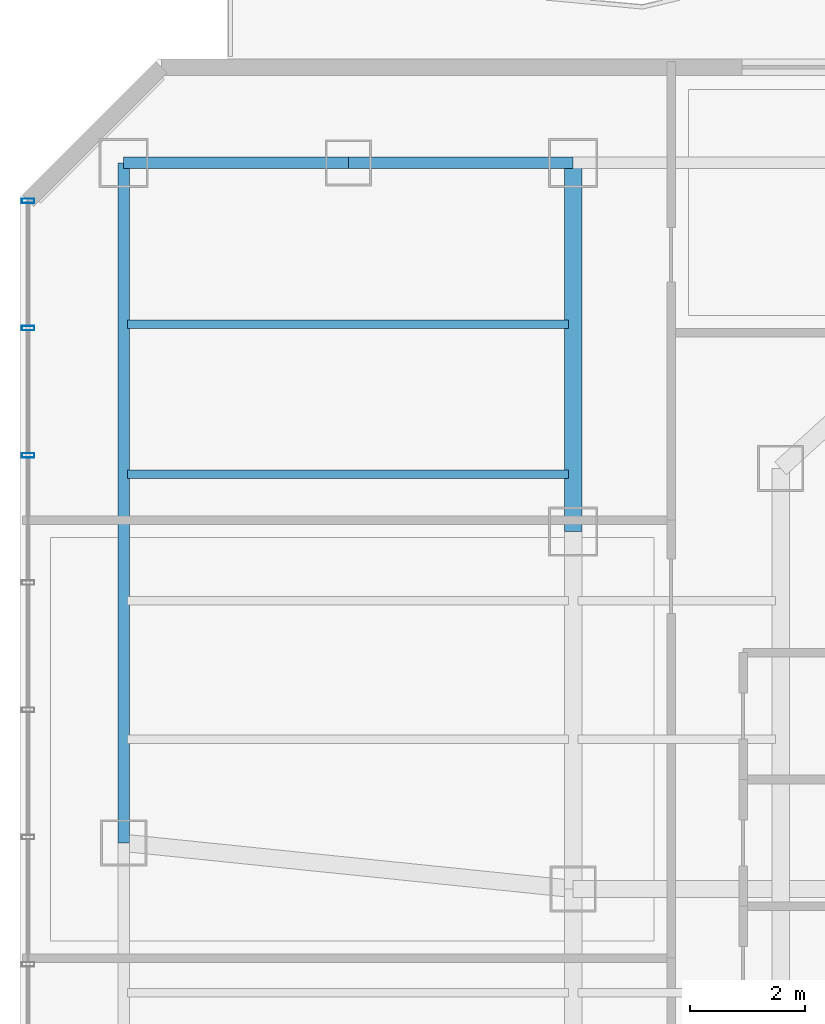
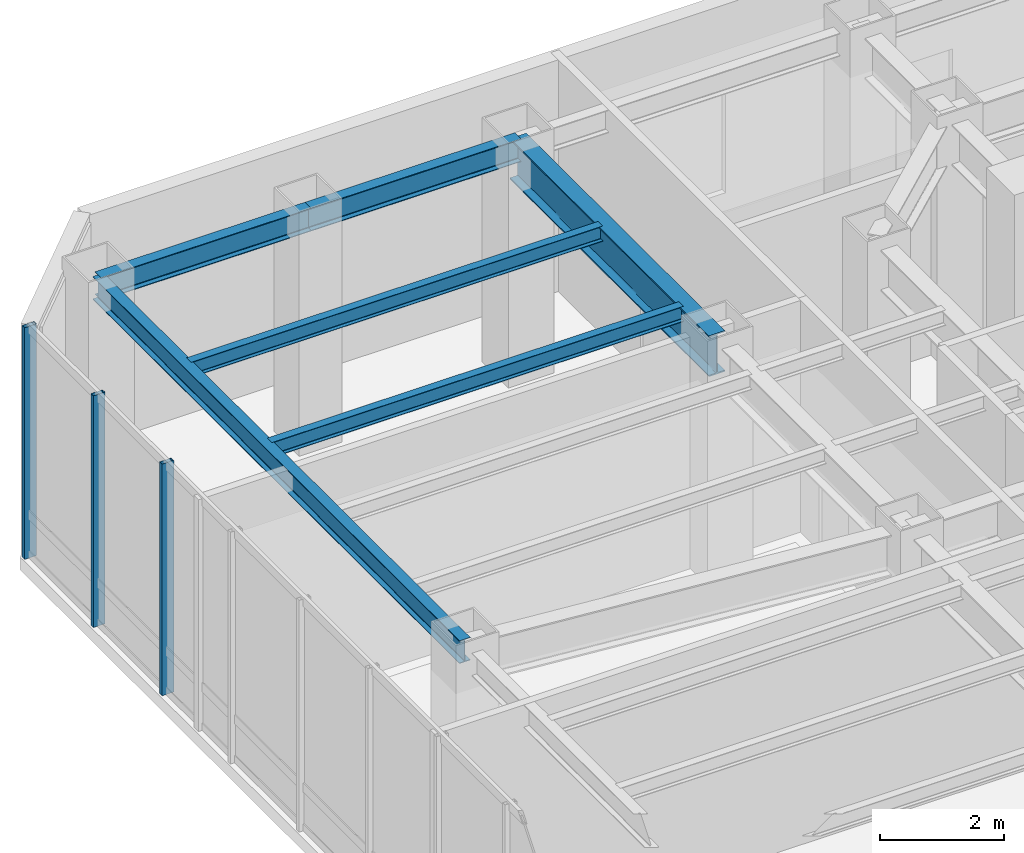
# One storey, part 18 of 30: 6 beams, 3 members, 1 element without a shape of its own.
"""IFC4 building model written with IfcOpenShell, lengths in metres."""

import ifcopenshell
import ifcopenshell.guid

model = None  # the IFC model being written
_history = None  # IfcOwnerHistory: only IFC2X3 demands one
_inside = {}  # id of a spatial element -> (the spatial element, [elements in it])
_under = {}  # id of a project, library or spatial element -> (it, [spatial elements below it])
_declared = {}  # id of a project -> (the project, [libraries it declares])
_typed = {}  # id of a type object -> (the type object, [elements of that type])
_made_of = {}  # id of a material, layer set ... -> (it, [elements and type objects made of it])


def new_model(schema):
    """Start an empty IFC model of exactly this schema.

    Asked for "IFC4X3", IfcOpenShell would pick the latest addendum, in which some entities
    have other attributes; the version numbers below select the first issue.
    IFC2X3 requires an IfcOwnerHistory on every rooted entity: one is made here for all.
    """
    global model, _history
    if schema == "IFC4X3":
        model = ifcopenshell.file(schema_version=(4, 3, 0, 0))
    else:
        model = ifcopenshell.file(schema=schema)
    _inside.clear()
    _under.clear()
    _declared.clear()
    _typed.clear()
    _made_of.clear()
    _history = None
    if model.schema == "IFC2X3":
        org = make("IfcOrganization", Name="unknown")
        user = make(
            "IfcPersonAndOrganization",
            ThePerson=make("IfcPerson", FamilyName="unknown"),
            TheOrganization=org,
        )
        app = make(
            "IfcApplication",
            ApplicationDeveloper=org,
            Version="unknown",
            ApplicationFullName="unknown",
            ApplicationIdentifier="unknown",
        )
        _history = make(
            "IfcOwnerHistory",
            OwningUser=user,
            OwningApplication=app,
            ChangeAction="ADDED",
            CreationDate=0,
        )
    return model


def make(cls, **values):
    """One entity of the class cls with the attributes given. An attribute that is None is left unset."""
    return model.create_entity(
        cls, **{name: value for name, value in values.items() if value is not None}
    )


def rooted(cls, **values):
    """An entity with a GlobalId (a new one), such as an element, a storey or a relation."""
    return make(cls, GlobalId=ifcopenshell.guid.new(), OwnerHistory=_history, **values)


def si_unit(unit_type, name, prefix=None):
    """IfcSIUnit, for example si_unit("LENGTHUNIT", "METRE", prefix="MILLI")."""
    return make("IfcSIUnit", UnitType=unit_type, Prefix=prefix, Name=name)


def assignment(units):
    """IfcUnitAssignment: the units of a project."""
    return None if units is None else make("IfcUnitAssignment", Units=units)


def point(xyz):
    """IfcCartesianPoint."""
    return None if xyz is None else make("IfcCartesianPoint", Coordinates=xyz)


def direction(xyz):
    """IfcDirection."""
    return None if xyz is None else make("IfcDirection", DirectionRatios=xyz)


def frame(location, z_axis=None, x_axis=None):
    """IfcAxis2Placement3D, a coordinate frame: its origin and axes. An axis left out is left unset."""
    return make(
        "IfcAxis2Placement3D",
        Location=point(location),
        Axis=direction(z_axis),
        RefDirection=direction(x_axis),
    )


def frame_2d(location, x_axis=None):
    """IfcAxis2Placement2D, a coordinate frame in the plane: its origin and x axis."""
    return make(
        "IfcAxis2Placement2D", Location=point(location), RefDirection=direction(x_axis)
    )


def origin():
    """The frame at (0, 0, 0) with its axes left unset."""
    return frame((0.0, 0.0, 0.0))


def origin_2d():
    """The frame at (0, 0) in the plane with its x axis left unset."""
    return frame_2d((0.0, 0.0))


def place(relative_to, where):
    """IfcLocalPlacement: puts the frame where relative to a parent placement (None: the world)."""
    return make(
        "IfcLocalPlacement", PlacementRelTo=relative_to, RelativePlacement=where
    )


def context(
    kind, dimensions, precision=None, world=None, true_north=None, identifier=None
):
    """IfcGeometricRepresentationContext, for example the 3D "Model" context."""
    return make(
        "IfcGeometricRepresentationContext",
        ContextIdentifier=identifier,
        ContextType=kind,
        CoordinateSpaceDimension=dimensions,
        Precision=precision,
        WorldCoordinateSystem=world,
        TrueNorth=true_north,
    )


def subcontext(parent, identifier, kind, view, scale=None):
    """IfcGeometricRepresentationSubContext, for example "Body" below "Model"."""
    return make(
        "IfcGeometricRepresentationSubContext",
        ContextIdentifier=identifier,
        ContextType=kind,
        ParentContext=parent,
        TargetScale=scale,
        TargetView=view,
    )


def project(units=None, contexts=None):
    """IfcProject with its units and contexts."""
    return rooted(
        "IfcProject",
        Name="project",
        RepresentationContexts=contexts,
        UnitsInContext=assignment(units),
    )


def spatial(cls, under=None, at=None, **own):
    """A site, building, storey or space (cls), placed at a placement, below another one or the project."""
    s = rooted(cls, ObjectPlacement=at, **own)
    if under is not None:
        _under.setdefault(under.id(), (under, []))[1].append(s)
    return s


def profile(cls, at=None, kind="AREA", **sizes):
    """A parametric profile (cls). Its sizes go by their IFC names, for example OverallWidth=200.0."""
    return make(cls, ProfileType=kind, Position=at, **sizes)


def hollow_rectangle(**sizes):
    """IfcRectangleHollowProfileDef."""
    return profile("IfcRectangleHollowProfileDef", **sizes)


def i_section(**sizes):
    """IfcIShapeProfileDef."""
    return profile("IfcIShapeProfileDef", **sizes)


def extrude(swept, where, along, depth):
    """IfcExtrudedAreaSolid: the profile swept, set in the frame where, extruded along a direction by depth."""
    return make(
        "IfcExtrudedAreaSolid",
        SweptArea=swept,
        Position=where,
        ExtrudedDirection=direction(along),
        Depth=depth,
    )


def shape(context_of_items, identifier, shape_type, items):
    """IfcShapeRepresentation: the items that make up one representation, for example the "Body"."""
    return make(
        "IfcShapeRepresentation",
        ContextOfItems=context_of_items,
        RepresentationIdentifier=identifier,
        RepresentationType=shape_type,
        Items=items,
    )


def material(Name=None, Category=None):
    """IfcMaterial."""
    return make("IfcMaterial", Name=Name, Category=Category)


def layer(
    of_material, thickness, ventilated=None, Name=None, Category=None, Priority=None
):
    """IfcMaterialLayer: one layer of a wall or slab, of a material (None: an air gap)."""
    return make(
        "IfcMaterialLayer",
        Material=of_material,
        LayerThickness=thickness,
        IsVentilated=ventilated,
        Name=Name,
        Category=Category,
        Priority=Priority,
    )


def layer_set(layers, Name=None):
    """IfcMaterialLayerSet."""
    return make("IfcMaterialLayerSet", MaterialLayers=layers, LayerSetName=Name)


def material_profile(
    of_material, cross_section, Name=None, Category=None, Priority=None
):
    """IfcMaterialProfile: a cross section and its material."""
    return make(
        "IfcMaterialProfile",
        Name=Name,
        Material=of_material,
        Profile=cross_section,
        Priority=Priority,
        Category=Category,
    )


def profile_set(profiles, Name=None, composite=None):
    """IfcMaterialProfileSet."""
    return make(
        "IfcMaterialProfileSet",
        Name=Name,
        MaterialProfiles=profiles,
        CompositeProfile=composite,
    )


def made_of(thing, what):
    """Note that an element or type object is made of a material, layer set ...; save() writes the relation."""
    if what is not None:
        _made_of.setdefault(what.id(), (what, []))[1].append(thing)
    return thing


def type_object(cls, material=None, **own):
    """A type object (cls), such as IfcWallType, which elements share."""
    return made_of(rooted(cls, **own), material)


def element(
    cls,
    number,
    at=None,
    inside=None,
    cuts=None,
    type_object=None,
    material=None,
    context=None,
    identifier="Body",
    shape_type=None,
    held_by="IfcProductDefinitionShape",
    body=None,
    shapes=None,
    **own,
):
    """One element of the class cls, such as IfcWall. Its Tag is "e" and its number.

    at: its placement. inside: the storey or other place that contains it. cuts: it is an
    opening in that element (IfcRelVoidsElement). A single representation is given by context,
    identifier, shape_type and body (its items); several are given by shapes. held_by: the class
    of the entity that holds the representations. save() writes the other relations.
    """
    e = rooted(cls, Tag="e%d" % number, ObjectPlacement=at, **own)
    if body is not None:
        shapes = [shape(context, identifier, shape_type, body)]
    if shapes is not None:
        e.Representation = make(held_by, Representations=shapes)
    if inside is not None:
        _inside.setdefault(inside.id(), (inside, []))[1].append(e)
    if cuts is not None:
        rooted(
            "IfcRelVoidsElement", RelatingBuildingElement=cuts, RelatedOpeningElement=e
        )
    if type_object is not None:
        _typed.setdefault(type_object.id(), (type_object, []))[1].append(e)
    return made_of(e, material)


def aggregate(whole, parts):
    """IfcRelAggregates: a whole, such as a stair, and the parts it consists of."""
    return rooted("IfcRelAggregates", RelatingObject=whole, RelatedObjects=parts)


def save(model, path):
    """Write the relations noted so far, then the file.

    IfcRelAggregates (storeys below a building ...), IfcRelContainedInSpatialStructure (elements
    in a storey), IfcRelDefinesByType, IfcRelAssociatesMaterial and IfcRelDeclares: one each for
    every whole, place, type object, material and project.
    """
    for whole, parts in _under.values():
        aggregate(whole, parts)
    for where, things in _inside.values():
        rooted(
            "IfcRelContainedInSpatialStructure",
            RelatedElements=things,
            RelatingStructure=where,
        )
    for kind, things in _typed.values():
        rooted("IfcRelDefinesByType", RelatedObjects=things, RelatingType=kind)
    for what, things in _made_of.values():
        rooted("IfcRelAssociatesMaterial", RelatedObjects=things, RelatingMaterial=what)
    for by, libraries in _declared.values():
        rooted("IfcRelDeclares", RelatingContext=by, RelatedDefinitions=libraries)
    model.write(path)


model = new_model("IFC4")

# Units and contexts
model_context = context("Model", 3, precision=1e-05, world=origin(), true_north=direction((0.0, 1.0)))
body_context = subcontext(model_context, "Body", "Model", "MODEL_VIEW")
ifc_project = project(units=[si_unit("LENGTHUNIT", "METRE"), si_unit("AREAUNIT", "SQUARE_METRE"), si_unit("VOLUMEUNIT", "CUBIC_METRE"), si_unit("PLANEANGLEUNIT", "RADIAN"), si_unit("MASSUNIT", "GRAM", prefix="KILO")], contexts=[model_context])

# Site, building, storey
site_placement = place(None, origin())
site = spatial("IfcSite", under=ifc_project, at=site_placement, CompositionType="ELEMENT")
building_placement = place(site_placement, origin())
building = spatial("IfcBuilding", under=site, at=building_placement, Name="Hatsunagi Terrace Concourse", CompositionType="ELEMENT")
storey_placement = place(building_placement, frame((0.0, 0.0, 130.050048828125)))
storey = spatial("IfcBuildingStorey", under=building, at=storey_placement, Name="L34", CompositionType="ELEMENT", Elevation=130.050048828125)

# Curtain wall, members
ifc_material_1 = material(Name="Anodised Aluminium Alloy 6063-T5", Category="aluminium")
ifc_layer = layer(ifc_material_1, 0.199951171875)
ifc_layer_set = layer_set([ifc_layer], Name="SkyLobbyAtrium_CW05")
curtain_wall_type = type_object("IfcCurtainWallType", Name="SkyLobbyAtrium_CW05", PredefinedType="NOTDEFINED", material=ifc_layer_set)
curtain_wall_placement = place(storey_placement, origin())
curtain_wall = element("IfcCurtainWall", 1, at=curtain_wall_placement, inside=storey, type_object=curtain_wall_type, Name="Unitised Curtain Wall CW-05 CW-L34-09", PredefinedType="NOTDEFINED")
ifc_material_2 = material(Name="Anodised Aluminium Alloy 6063-T5", Category="aluminium")
ifc_material_profile_1 = material_profile(ifc_material_2, hollow_rectangle(XDim=0.080078125, YDim=0.219970703125, WallThickness=0.0048828125, at=origin_2d()), Name="ALU-MUL-220x80x5")
ifc_profile_set_1 = profile_set([ifc_material_profile_1], Name="Anodised Aluminium Alloy 6063-T5")
member_type = type_object("IfcMemberType", Name="CurtainWallMullion_Heavy_220x80", PredefinedType="MULLION", material=ifc_profile_set_1)
member_1_placement = place(storey_placement, frame((9.739990234375, 43.52490234375, 0.0), z_axis=(0.0, 0.0, 1.0), x_axis=(0.0, 1.0, 0.0)))
member_1 = element("IfcMember", 2, at=member_1_placement, type_object=member_type, Name="Curtain Wall Mullion MUL-01", PredefinedType="MULLION", context=body_context, shape_type="SweptSolid", body=[
    extrude(hollow_rectangle(XDim=0.080078125, YDim=0.219970703125, WallThickness=0.0048828125, at=origin_2d()), origin(), (0.0, 0.0, 1.0), 4.550048828125),
])
member_2_placement = place(storey_placement, frame((9.739990234375, 45.73388671875, 0.0), z_axis=(0.0, 0.0, 1.0), x_axis=(0.0, 1.0, 0.0)))
member_2 = element("IfcMember", 3, at=member_2_placement, type_object=member_type, Name="Curtain Wall Mullion MUL-01", PredefinedType="MULLION", context=body_context, shape_type="SweptSolid", body=[
    extrude(hollow_rectangle(XDim=0.080078125, YDim=0.219970703125, WallThickness=0.0048828125, at=origin_2d()), origin(), (0.0, 0.0, 1.0), 4.550048828125),
])
member_3_placement = place(storey_placement, frame((9.739990234375, 47.94189453125, 0.0), z_axis=(0.0, 0.0, 1.0), x_axis=(0.0, 1.0, 0.0)))
member_3 = element("IfcMember", 4, at=member_3_placement, type_object=member_type, Name="Curtain Wall Mullion MUL-01", PredefinedType="MULLION", context=body_context, shape_type="SweptSolid", body=[
    extrude(hollow_rectangle(XDim=0.080078125, YDim=0.219970703125, WallThickness=0.0048828125, at=origin_2d()), origin(), (0.0, 0.0, 1.0), 4.550048828125),
])
aggregate(curtain_wall, [member_1, member_2, member_3])

# Beams
ifc_material_3 = material(Name="Steel SN490B", Category="steel")
ifc_material_profile_2 = material_profile(ifc_material_3, i_section(OverallWidth=0.14990234375, OverallDepth=0.300048828125, WebThickness=0.006591796875, FlangeThickness=0.009033203125, FilletRadius=0.010986328125, at=origin_2d()), Name="H-300x150x6.5x9")
ifc_profile_set_2 = profile_set([ifc_material_profile_2], Name="Steel SN490B")
beam_type_1 = type_object("IfcBeamType", Name="OfficeJoist_H_300x150", PredefinedType="JOIST", material=ifc_profile_set_2)
for number, where, z_axis, x_axis, name in (
    (5, (11.465087890625, 43.199951171875, 4.39990234375), (1.0, 0.0, 0.0), (0.0, 1.0, 0.0), "Beam J-03 J-L34-W-11-432"),
    (6, (11.465087890625, 45.800048828125, 4.39990234375), (1.0, 0.0, 0.0), (0.0, 1.0, 0.0), "Beam J-03 J-L34-W-11-458"),
):
    element("IfcBeam", number, at=place(storey_placement, frame(where, z_axis=z_axis, x_axis=x_axis)), inside=storey, type_object=beam_type_1, Name=name, PredefinedType="JOIST", context=body_context, shape_type="SweptSolid", body=[
        extrude(i_section(OverallWidth=0.14990234375, OverallDepth=0.300048828125, WebThickness=0.006591796875, FlangeThickness=0.009033203125, FilletRadius=0.010986328125, at=origin_2d()), origin(), (0.0, 0.0, 1.0), 7.64990234375),
    ])
ifc_material_4 = material(Name="Steel SN490B", Category="steel")
ifc_material_profile_3 = material_profile(ifc_material_4, i_section(OverallWidth=0.199951171875, OverallDepth=0.449951171875, WebThickness=0.009033203125, FlangeThickness=0.013916015625, FilletRadius=0.01611328125, at=origin_2d()), Name="H-450x200x9x14")
ifc_profile_set_3 = profile_set([ifc_material_profile_3], Name="Steel SN490B")
beam_type_2 = type_object("IfcBeamType", Name="PerimeterSpandrel_H_450x200", PredefinedType="SPANDREL", material=ifc_profile_set_3)
beam_1_placement = place(storey_placement, frame((11.39990234375, 48.60009765625, 4.324951171875), z_axis=(1.0, 0.0, 0.0), x_axis=(0.0, 1.0, 0.0)))
element("IfcBeam", 7, at=beam_1_placement, inside=storey, type_object=beam_type_2, Name="Beam SP-02 BM-L34-WN-11", PredefinedType="SPANDREL", context=body_context, shape_type="SweptSolid", body=[
    extrude(i_section(OverallWidth=0.199951171875, OverallDepth=0.449951171875, WebThickness=0.009033203125, FlangeThickness=0.013916015625, FilletRadius=0.01611328125, at=origin_2d()), origin(), (0.0, 0.0, 1.0), 3.900146484375),
])
beam_2_placement = place(storey_placement, frame((15.300048828125, 48.60009765625, 4.324951171875), z_axis=(1.0, 0.0, 0.0), x_axis=(0.0, 1.0, 0.0)))
element("IfcBeam", 8, at=beam_2_placement, inside=storey, type_object=beam_type_2, Name="Beam SP-02 BM-L34-WN-15", PredefinedType="SPANDREL", context=body_context, shape_type="SweptSolid", body=[
    extrude(i_section(OverallWidth=0.199951171875, OverallDepth=0.449951171875, WebThickness=0.009033203125, FlangeThickness=0.013916015625, FilletRadius=0.01611328125, at=origin_2d()), origin(), (0.0, 0.0, 1.0), 3.89990234375),
])
beam_3_placement = place(storey_placement, frame((11.39990234375, 36.800048828125, 4.324951171875), z_axis=(0.0, 1.0, 0.0), x_axis=(-1.0, 0.0, 0.0)))
element("IfcBeam", 9, at=beam_3_placement, inside=storey, type_object=beam_type_2, Name="Beam SP-02 BM-L34-NS-11-36", PredefinedType="SPANDREL", context=body_context, shape_type="SweptSolid", body=[
    extrude(i_section(OverallWidth=0.199951171875, OverallDepth=0.449951171875, WebThickness=0.009033203125, FlangeThickness=0.013916015625, FilletRadius=0.01611328125, at=origin_2d()), origin(), (0.0, 0.0, 1.0), 11.800048828125),
])
ifc_material_5 = material(Name="Steel SN490B", Category="steel")
ifc_material_profile_4 = material_profile(ifc_material_5, i_section(OverallWidth=0.300048828125, OverallDepth=0.800048828125, WebThickness=0.013916015625, FlangeThickness=0.02587890625, FilletRadius=0.02197265625, at=origin_2d()), Name="H-800x300x14x26")
ifc_profile_set_4 = profile_set([ifc_material_profile_4], Name="Steel SN490B")
beam_type_3 = type_object("IfcBeamType", Name="SkyLobbyGirder_H_800x300", PredefinedType="BEAM", material=ifc_profile_set_4)
beam_4_placement = place(storey_placement, frame((19.199951171875, 42.199951171875, 4.14990234375), z_axis=(0.0, 1.0, 0.0), x_axis=(-1.0, 0.0, 0.0)))
element("IfcBeam", 10, at=beam_4_placement, inside=storey, type_object=beam_type_3, Name="Beam G-03 BM-L34-NS-19-42", PredefinedType="BEAM", context=body_context, shape_type="SweptSolid", body=[
    extrude(i_section(OverallWidth=0.300048828125, OverallDepth=0.800048828125, WebThickness=0.013916015625, FlangeThickness=0.02587890625, FilletRadius=0.02197265625, at=origin_2d()), origin(), (0.0, 0.0, 1.0), 6.400146484375),
])

save(model, "model.ifc")
